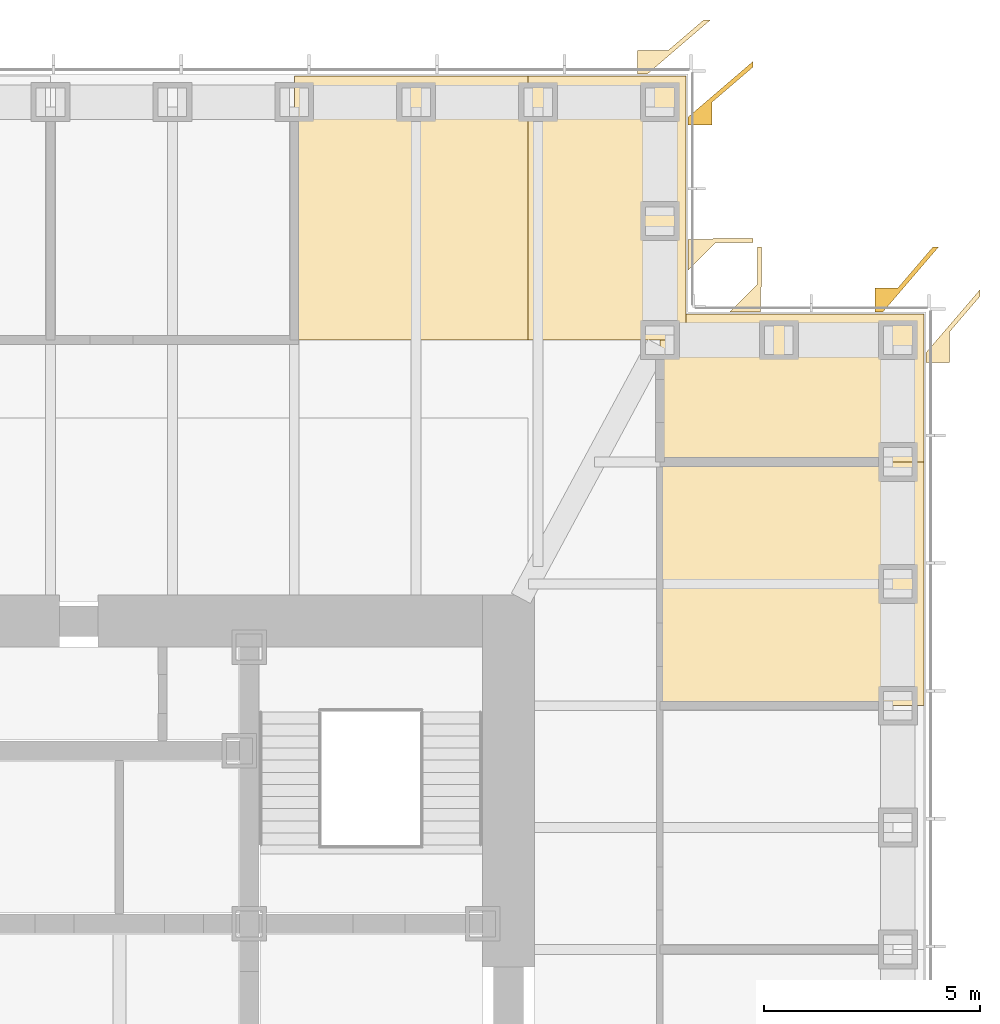
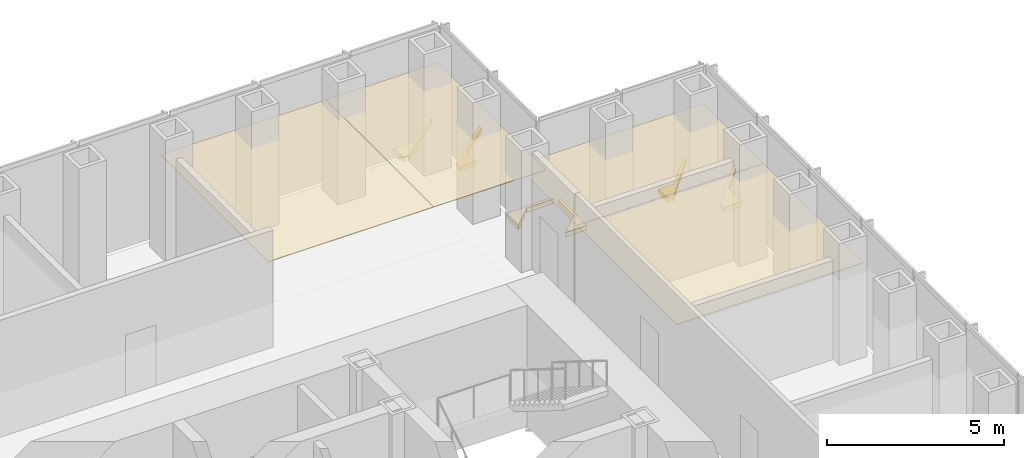
# One storey, part 17 of 17: 10 coverings.
"""IFC4 building model written with IfcOpenShell, lengths in metres."""

from ifc_helpers import new_model, si_unit, direction, frame, origin, place, context, subcontext, project, spatial, polyline, outline, extrude, material, layer, layer_set, type_object, element, save


model = new_model("IFC4")

# Units and contexts
model_context = context("Model", 3, precision=1e-05, world=origin(), true_north=direction((0.0, 1.0)))
body_context = subcontext(model_context, "Body", "Model", "MODEL_VIEW")
ifc_project = project(units=[si_unit("LENGTHUNIT", "METRE"), si_unit("AREAUNIT", "SQUARE_METRE"), si_unit("VOLUMEUNIT", "CUBIC_METRE"), si_unit("PLANEANGLEUNIT", "RADIAN"), si_unit("MASSUNIT", "GRAM", prefix="KILO")], contexts=[model_context])

# Site, building, storey
site_placement = place(None, origin())
site = spatial("IfcSite", under=ifc_project, at=site_placement, CompositionType="ELEMENT")
building_placement = place(site_placement, origin())
building = spatial("IfcBuilding", under=site, at=building_placement, Name="Daluyong Arena Tower", CompositionType="ELEMENT")
storey_placement = place(building_placement, frame((0.0, 0.0, 185.5)))
storey = spatial("IfcBuildingStorey", under=building, at=storey_placement, Name="L41", CompositionType="ELEMENT", Elevation=185.5)

# Coverings
ifc_material_1 = material(Name="Mineral fibre ceiling tile", Category="gypsum board")
ifc_layer_1 = layer(ifc_material_1, 0.02001953125)
ifc_layer_set_1 = layer_set([ifc_layer_1], Name="Mineral fibre ceiling tile")
covering_type_1 = type_object("IfcCoveringType", Name="Office ceiling", PredefinedType="CEILING", material=ifc_layer_set_1)
covering_1_placement = place(storey_placement, frame((0.0, 0.0, 2.89990234375)))
element("IfcCovering", 1, at=covering_1_placement, inside=storey, type_object=covering_type_1, Name="ceiling L41-08", PredefinedType="CEILING", context=body_context, shape_type="SweptSolid", body=[
    extrude(outline(polyline([(71.5, 87.04541015625), (77.60009765625, 87.04541015625), (77.60009765625, 92.681884765625), (71.5, 92.681884765625), (71.5, 87.04541015625)])), origin(), (0.0, 0.0, 1.0), 0.02001953125),
])
covering_2_placement = place(storey_placement, frame((0.0, 0.0, 2.89990234375)))
element("IfcCovering", 2, at=covering_2_placement, inside=storey, type_object=covering_type_1, Name="ceiling L41-09", PredefinedType="CEILING", context=body_context, shape_type="SweptSolid", body=[
    extrude(outline(polyline([(71.5, 92.681884765625), (77.60009765625, 92.681884765625), (77.60009765625, 96.10009765625), (72.10009765625, 96.10009765625), (72.10009765625, 95.5), (71.5, 95.5), (71.5, 92.681884765625)])), origin(), (0.0, 0.0, 1.0), 0.02001953125),
])
covering_3_placement = place(storey_placement, frame((0.0, 0.0, 2.89990234375)))
element("IfcCovering", 3, at=covering_3_placement, inside=storey, type_object=covering_type_1, Name="ceiling L41-25", PredefinedType="CEILING", context=body_context, shape_type="SweptSolid", body=[
    extrude(outline(polyline([(72.10009765625, 101.60009765625), (68.449951171875, 101.60009765625), (68.449951171875, 95.5), (72.10009765625, 95.5), (72.10009765625, 101.60009765625)])), origin(), (0.0, 0.0, 1.0), 0.02001953125),
])
covering_4_placement = place(storey_placement, frame((0.0, 0.0, 2.89990234375)))
element("IfcCovering", 4, at=covering_4_placement, inside=storey, type_object=covering_type_1, Name="ceiling L41-26", PredefinedType="CEILING", context=body_context, shape_type="SweptSolid", body=[
    extrude(outline(polyline([(68.449951171875, 101.60009765625), (63.04541015625, 101.60009765625), (63.04541015625, 95.5), (68.449951171875, 95.5), (68.449951171875, 101.60009765625)])), origin(), (0.0, 0.0, 1.0), 0.02001953125),
])
ifc_material_2 = material(Name="Bronze anodised aluminium capping", Category="aluminium")
ifc_layer_2 = layer(ifc_material_2, 0.159912109375)
ifc_layer_set_2 = layer_set([ifc_layer_2], Name="Bronze anodised aluminium capping")
covering_type_2 = type_object("IfcCoveringType", Name="Transition column casing cap 160", PredefinedType="ROOFING", material=ifc_layer_set_2)
covering_5_placement = place(storey_placement, frame((0.0, 0.0, -0.159912109375)))
element("IfcCovering", 5, at=covering_5_placement, inside=storey, type_object=covering_type_2, Name="transition column casing cap L40 1", PredefinedType="ROOFING", context=body_context, shape_type="SweptSolid", body=[
    extrude(outline(polyline([(76.470947265625, 96.699951171875), (76.995361328125, 96.699951171875), (77.8095703125, 97.64990234375), (77.94140625, 97.64990234375), (76.655517578125, 96.14990234375), (76.470947265625, 96.14990234375), (76.470947265625, 96.699951171875)])), origin(), (0.0, 0.0, 1.0), 0.159912109375),
])
covering_6_placement = place(storey_placement, frame((0.0, 0.0, -0.159912109375)))
element("IfcCovering", 6, at=covering_6_placement, inside=storey, type_object=covering_type_2, Name="transition column casing cap L40 2", PredefinedType="ROOFING", context=body_context, shape_type="SweptSolid", body=[
    extrude(outline(polyline([(78.199951171875, 94.984619140625), (77.64990234375, 94.984619140625), (77.64990234375, 95.20654296875), (78.89990234375, 96.664794921875), (78.89990234375, 96.51123046875), (78.199951171875, 95.694580078125), (78.199951171875, 94.984619140625)])), origin(), (0.0, 0.0, 1.0), 0.159912109375),
])
covering_7_placement = place(storey_placement, frame((0.0, 0.0, -0.159912109375)))
element("IfcCovering", 7, at=covering_7_placement, inside=storey, type_object=covering_type_2, Name="transition column casing cap L40 1", PredefinedType="ROOFING", context=body_context, shape_type="SweptSolid", body=[
    extrude(outline(polyline([(72.699951171875, 97.822021484375), (72.699951171875, 97.81201171875), (72.73779296875, 97.85009765625), (73.64990234375, 97.85009765625), (73.64990234375, 97.75), (72.779296875, 97.75), (72.14990234375, 97.12060546875), (72.14990234375, 97.822021484375), (72.699951171875, 97.822021484375)])), origin(), (0.0, 0.0, 1.0), 0.159912109375),
])
covering_8_placement = place(storey_placement, frame((0.0, 0.0, -0.159912109375)))
element("IfcCovering", 8, at=covering_8_placement, inside=storey, type_object=covering_type_2, Name="transition column casing cap L40 2", PredefinedType="ROOFING", context=body_context, shape_type="SweptSolid", body=[
    extrude(outline(polyline([(73.81201171875, 96.699951171875), (73.822021484375, 96.699951171875), (73.822021484375, 96.14990234375), (73.12060546875, 96.14990234375), (73.75, 96.779296875), (73.75, 97.64990234375), (73.85009765625, 97.64990234375), (73.85009765625, 96.73779296875), (73.81201171875, 96.699951171875)])), origin(), (0.0, 0.0, 1.0), 0.159912109375),
])
covering_9_placement = place(storey_placement, frame((0.0, 0.0, -0.159912109375)))
element("IfcCovering", 9, at=covering_9_placement, inside=storey, type_object=covering_type_2, Name="transition column casing cap L40 1", PredefinedType="ROOFING", context=body_context, shape_type="SweptSolid", body=[
    extrude(outline(polyline([(70.984619140625, 102.199951171875), (71.694580078125, 102.199951171875), (72.51123046875, 102.89990234375), (72.664794921875, 102.89990234375), (71.20654296875, 101.64990234375), (70.984619140625, 101.64990234375), (70.984619140625, 102.199951171875)])), origin(), (0.0, 0.0, 1.0), 0.159912109375),
])
covering_10_placement = place(storey_placement, frame((0.0, 0.0, -0.159912109375)))
element("IfcCovering", 10, at=covering_10_placement, inside=storey, type_object=covering_type_2, Name="transition column casing cap L40 2", PredefinedType="ROOFING", context=body_context, shape_type="SweptSolid", body=[
    extrude(outline(polyline([(72.699951171875, 100.470947265625), (72.14990234375, 100.470947265625), (72.14990234375, 100.655517578125), (73.64990234375, 101.94140625), (73.64990234375, 101.8095703125), (72.699951171875, 100.995361328125), (72.699951171875, 100.470947265625)])), origin(), (0.0, 0.0, 1.0), 0.159912109375),
])

save(model, "model.ifc")
